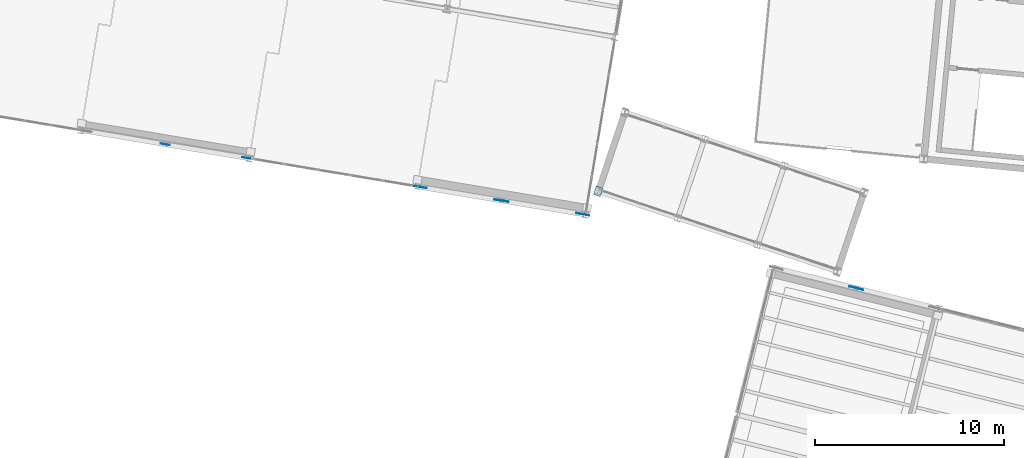
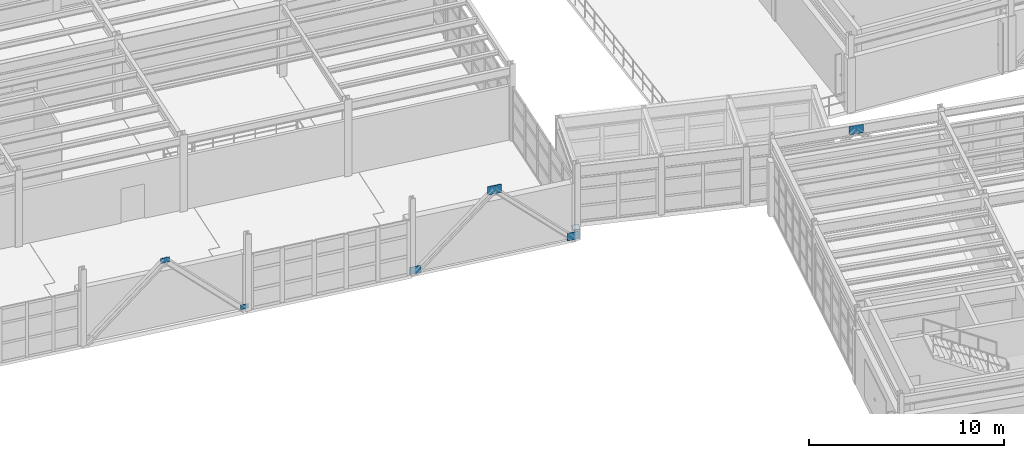
# One storey, part 75 of 102: 7 plates.
"""IFC4 building model written with IfcOpenShell, lengths in metres."""

from ifc_helpers import new_model, si_unit, direction, frame, origin, origin_2d, place, context, subcontext, project, spatial, rectangle, extrude, material, layer, layer_set, type_object, element, save


model = new_model("IFC4")

# Units and contexts
model_context = context("Model", 3, precision=1e-05, world=origin(), true_north=direction((0.0, 1.0)))
body_context = subcontext(model_context, "Body", "Model", "MODEL_VIEW")
ifc_project = project(units=[si_unit("LENGTHUNIT", "METRE"), si_unit("AREAUNIT", "SQUARE_METRE"), si_unit("VOLUMEUNIT", "CUBIC_METRE"), si_unit("PLANEANGLEUNIT", "RADIAN"), si_unit("MASSUNIT", "GRAM", prefix="KILO")], contexts=[model_context])

# Site, building, storey
site_placement = place(None, origin())
site = spatial("IfcSite", under=ifc_project, at=site_placement, CompositionType="ELEMENT")
building_placement = place(site_placement, origin())
building = spatial("IfcBuilding", under=site, at=building_placement, Name="Vireo Bluff Cable Station", CompositionType="ELEMENT")
storey_placement = place(building_placement, frame((0.0, 0.0, 9.60009765625)))
storey = spatial("IfcBuildingStorey", under=building, at=storey_placement, Name="L02", CompositionType="ELEMENT", Elevation=9.60009765625)

# Plates
ifc_material = material(Name="Steel ASTM A572 Gr. 50", Category="steel")
ifc_layer_1 = layer(ifc_material, 0.01708984375, Name="Steel ASTM A572 Gr. 50")
ifc_layer_set_1 = layer_set([ifc_layer_1], Name="Steel ASTM A572 Gr. 50")
plate_type_1 = type_object("IfcPlateType", Name="GUSSET-440X290X17", PredefinedType="USERDEFINED", material=ifc_layer_set_1)
plate_1_placement = place(storey_placement, frame((31.971923828125, 67.070068359375, 0.074951171875), z_axis=(0.0, 0.0, 1.0), x_axis=(0.986285601537, -0.165047605861, 0.0)))
element("IfcPlate", 1, at=plate_1_placement, inside=storey, type_object=plate_type_1, Name="V4 L02 brace base gusset plate 210", ObjectType="GUSSET PLATE", PredefinedType="USERDEFINED", context=body_context, shape_type="SweptSolid", body=[
    extrude(rectangle(XDim=0.43994140625, YDim=0.01708984375, at=origin_2d()), origin(), (0.0, 0.0, 1.0), 0.2900390625),
])
ifc_layer_2 = layer(ifc_material, 0.01904296875, Name="Steel ASTM A572 Gr. 50")
ifc_layer_set_2 = layer_set([ifc_layer_2], Name="Steel ASTM A572 Gr. 50")
plate_type_2 = type_object("IfcPlateType", Name="GUSSET-480X310X19", PredefinedType="USERDEFINED", material=ifc_layer_set_2)
plate_2_placement = place(storey_placement, frame((27.69140625, 67.786376953125, 4.02490234375), z_axis=(0.0, 0.0, 1.0), x_axis=(0.986285601537, -0.165047605861, 0.0)))
element("IfcPlate", 2, at=plate_2_placement, inside=storey, type_object=plate_type_2, Name="V4 L02 chevron gusset plate 211", ObjectType="GUSSET PLATE", PredefinedType="USERDEFINED", context=body_context, shape_type="SweptSolid", body=[
    extrude(rectangle(XDim=0.47998046875, YDim=0.01904296875, at=origin_2d()), origin(), (0.0, 0.0, 1.0), 0.31005859375),
])
ifc_layer_3 = layer(ifc_material, 0.028076171875, Name="Steel ASTM A572 Gr. 50")
ifc_layer_set_3 = layer_set([ifc_layer_3], Name="Steel ASTM A572 Gr. 50")
plate_type_3 = type_object("IfcPlateType", Name="GUSSET-660X450X28", PredefinedType="USERDEFINED", material=ifc_layer_set_3)
plate_3_placement = place(storey_placement, frame((41.1640625, 65.531982421875, -0.0048828125), z_axis=(0.0, 0.0, 1.0), x_axis=(0.986285601537, -0.165047605861, 0.0)))
element("IfcPlate", 3, at=plate_3_placement, inside=storey, type_object=plate_type_3, Name="V4 L02 brace base gusset plate 206", ObjectType="GUSSET PLATE", PredefinedType="USERDEFINED", context=body_context, shape_type="SweptSolid", body=[
    extrude(rectangle(XDim=0.659912109375, YDim=0.028076171875, at=origin_2d()), origin(), (0.0, 0.0, 1.0), 0.449951171875),
])
ifc_layer_4 = layer(ifc_material, 0.030029296875, Name="Steel ASTM A572 Gr. 50")
ifc_layer_set_4 = layer_set([ifc_layer_4], Name="Steel ASTM A572 Gr. 50")
plate_type_4 = type_object("IfcPlateType", Name="GUSSET-700X480X30", PredefinedType="USERDEFINED", material=ifc_layer_set_4)
plate_4_placement = place(storey_placement, frame((49.72509765625, 64.099365234375, -0.02001953125), z_axis=(0.0, 0.0, 1.0), x_axis=(0.986285601537, -0.165047605861, 0.0)))
element("IfcPlate", 4, at=plate_4_placement, inside=storey, type_object=plate_type_4, Name="V4 L02 brace base gusset plate 207", ObjectType="GUSSET PLATE", PredefinedType="USERDEFINED", context=body_context, shape_type="SweptSolid", body=[
    extrude(rectangle(XDim=0.699951171875, YDim=0.030029296875, at=origin_2d()), origin(), (0.0, 0.0, 1.0), 0.47998046875),
])
ifc_layer_5 = layer(ifc_material, 0.031982421875, Name="Steel ASTM A572 Gr. 50")
ifc_layer_set_5 = layer_set([ifc_layer_5], Name="Steel ASTM A572 Gr. 50")
plate_type_5 = type_object("IfcPlateType", Name="GUSSET-750X520X32", PredefinedType="USERDEFINED", material=ifc_layer_set_5)
plate_5_placement = place(storey_placement, frame((45.444580078125, 64.815673828125, 3.919921875), z_axis=(0.0, 0.0, 1.0), x_axis=(0.986285601537, -0.165047605861, 0.0)))
element("IfcPlate", 5, at=plate_5_placement, inside=storey, type_object=plate_type_5, Name="V4 L02 chevron gusset plate 208", ObjectType="GUSSET PLATE", PredefinedType="USERDEFINED", context=body_context, shape_type="SweptSolid", body=[
    extrude(rectangle(XDim=0.75, YDim=0.031982421875, at=origin_2d()), origin(), (0.0, 0.0, 1.0), 0.52001953125),
])
ifc_layer_6 = layer(ifc_material, 0.032958984375, Name="Steel ASTM A572 Gr. 50")
ifc_layer_set_6 = layer_set([ifc_layer_6], Name="Steel ASTM A572 Gr. 50")
plate_type_6 = type_object("IfcPlateType", Name="GUSSET-760X530X33", PredefinedType="USERDEFINED", material=ifc_layer_set_6)
plate_6_placement = place(storey_placement, frame((64.17236328125, 60.198486328125, 3.9150390625), z_axis=(0.0, 0.0, 1.0), x_axis=(0.970295726276, -0.2419218956, 0.0)))
element("IfcPlate", 6, at=plate_6_placement, inside=storey, type_object=plate_type_6, Name="V1 L02 chevron gusset plate 38", ObjectType="GUSSET PLATE", PredefinedType="USERDEFINED", context=body_context, shape_type="SweptSolid", body=[
    extrude(rectangle(XDim=0.760009765625, YDim=0.032958984375, at=origin_2d()), origin(), (0.0, 0.0, 1.0), 0.530029296875),
])
ifc_layer_7 = layer(ifc_material, 0.0400390625, Name="Steel ASTM A572 Gr. 50")
ifc_layer_set_7 = layer_set([ifc_layer_7], Name="Steel ASTM A572 Gr. 50")
plate_type_7 = type_object("IfcPlateType", Name="SKYBR-SEAT-380X460X40", PredefinedType="SHEET", material=ifc_layer_set_7)
plate_7_placement = place(storey_placement, frame((50.550048828125, 65.306884765625, -0.300048828125), z_axis=(0.0, 0.0, 1.0), x_axis=(0.948104710889, -0.317958263284, 0.0)))
element("IfcPlate", 7, at=plate_7_placement, inside=storey, type_object=plate_type_7, Name="CABIN-TRANSFER skybridge 380mm sliding bearing seat AL", PredefinedType="SHEET", context=body_context, shape_type="SweptSolid", body=[
    extrude(rectangle(XDim=0.3798828125, YDim=0.4599609375, at=origin_2d()), origin(), (0.0, 0.0, 1.0), 0.0400390625),
])

save(model, "model.ifc")
